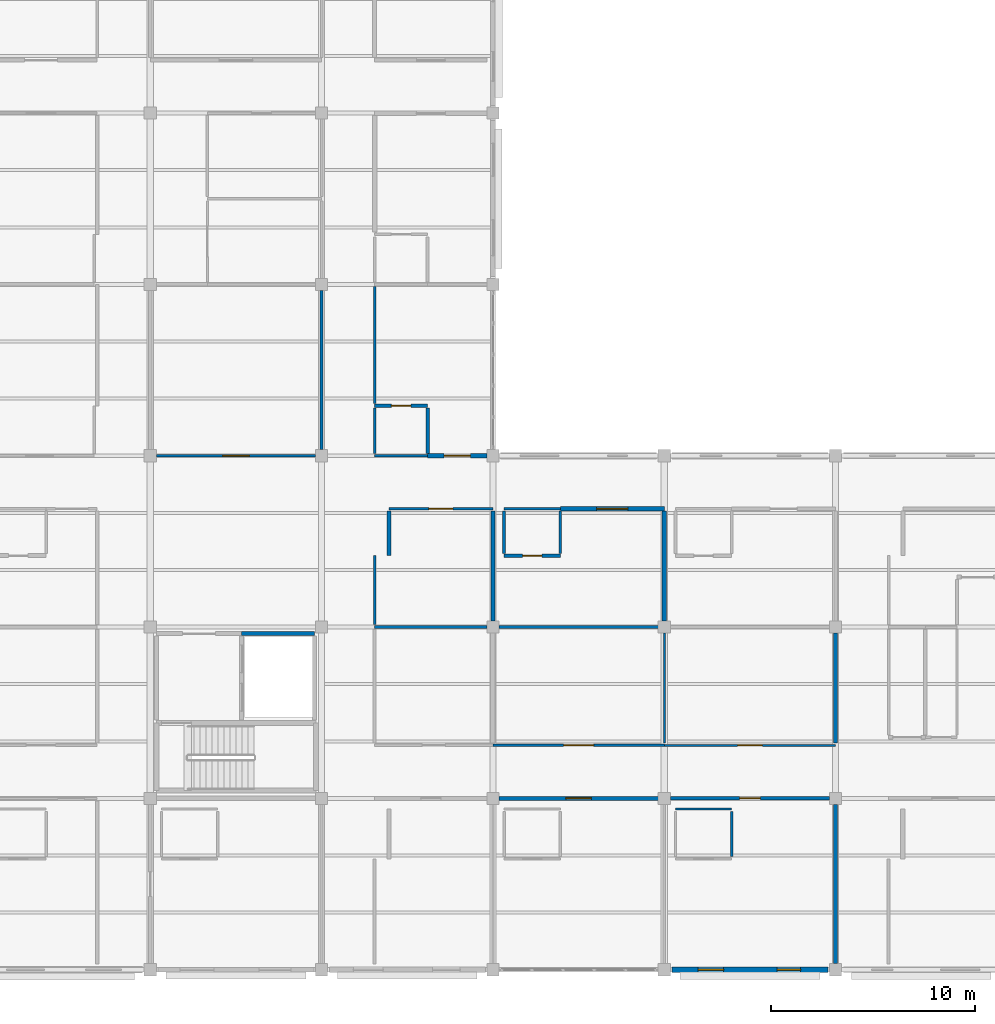
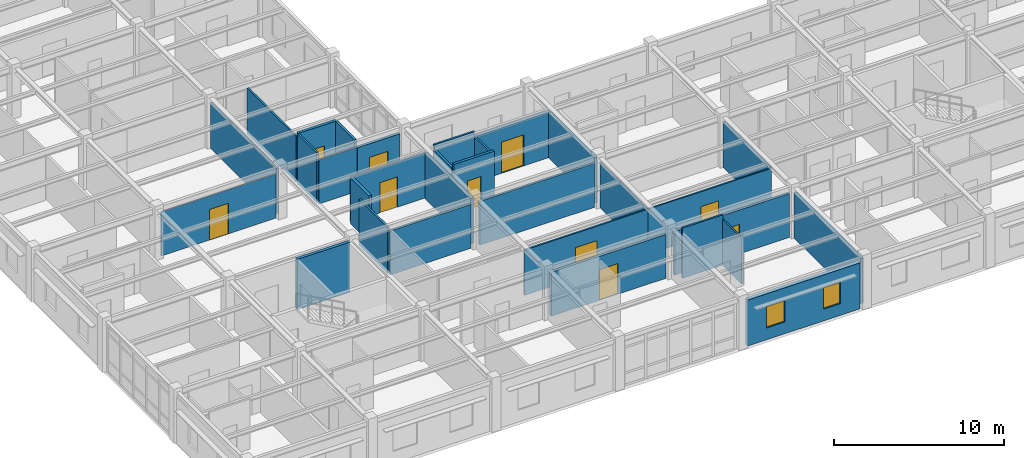
# One storey, part 52 of 86: 31 walls, 10 doors, 2 windows, 12 openings.
"""IFC4 building model written with IfcOpenShell, lengths in metres."""

from ifc_helpers import new_model, si_unit, direction, frame, frame_2d, origin, place, context, subcontext, project, spatial, rectangle, extrude, material, layer, layer_set, type_object, element, fill, save


model = new_model("IFC4")

# Units and contexts
model_context = context("Model", 3, precision=1e-05, world=origin(), true_north=direction((0.0, 1.0)))
body_context = subcontext(model_context, "Body", "Model", "MODEL_VIEW")
ifc_project = project(units=[si_unit("LENGTHUNIT", "METRE"), si_unit("AREAUNIT", "SQUARE_METRE"), si_unit("VOLUMEUNIT", "CUBIC_METRE"), si_unit("PLANEANGLEUNIT", "RADIAN"), si_unit("MASSUNIT", "GRAM", prefix="KILO")], contexts=[model_context])

# Site, building, storey
site_placement = place(None, origin())
site = spatial("IfcSite", under=ifc_project, at=site_placement, CompositionType="ELEMENT")
building_placement = place(site_placement, origin())
building = spatial("IfcBuilding", under=site, at=building_placement, Name="Bramfleet General Hospital", CompositionType="ELEMENT")
storey_placement = place(building_placement, frame((0.0, 0.0, 18.60009765625)))
storey = spatial("IfcBuildingStorey", under=building, at=storey_placement, Name="L04", CompositionType="ELEMENT", Elevation=18.60009765625)

# Wall, openings, windows
ifc_material_1 = material(Name="Precast concrete C40/50", Category="concrete")
ifc_layer_1 = layer(ifc_material_1, 0.264892578125, Name="WT-EW-07")
ifc_layer_set_1 = layer_set([ifc_layer_1], Name="Precast concrete C40/50")
wall_type_1 = type_object("IfcWallType", Name="WT-EW-07", PredefinedType="SOLIDWALL", material=ifc_layer_set_1)
wall_1_placement = place(storey_placement, frame((134.02490234375, 0.0, 0.0), z_axis=(0.0, 0.0, 1.0), x_axis=(-1.0, 0.0, 0.0)))
wall_1 = element("IfcWall", 1, at=wall_1_placement, inside=storey, type_object=wall_type_1, Name="L04 Exterior Wall 320", PredefinedType="SOLIDWALL", context=body_context, shape_type="SweptSolid", body=[
    extrude(rectangle(XDim=7.64990234375, YDim=0.264892578125, at=frame_2d((3.824951171875, 0.0))), origin(), (0.0, 0.0, 1.0), 3.309814453125),
])
opening_1_placement = place(wall_1_placement, frame((1.33740234375, 0.0, 0.85009765625)))
opening_1 = element("IfcOpeningElement", 2, at=opening_1_placement, cuts=wall_1, Name="Opening W-22", PredefinedType="OPENING", context=body_context, shape_type="SweptSolid", body=[
    extrude(rectangle(XDim=1.14990234375, YDim=1.5400390625, at=frame_2d((0.574951171875, 0.77001953125))), frame((0.0, 0.142333984375, 0.0), z_axis=(0.0, -1.0, 0.0), x_axis=(1.0, 0.0, 0.0)), (0.0, 0.0, 1.0), 0.284912109375),
])
opening_2_placement = place(wall_1_placement, frame((5.112548828125, 0.0, 0.85009765625)))
opening_2 = element("IfcOpeningElement", 3, at=opening_2_placement, cuts=wall_1, Name="Opening W-23", PredefinedType="OPENING", context=body_context, shape_type="SweptSolid", body=[
    extrude(rectangle(XDim=1.25, YDim=1.5400390625, at=frame_2d((0.625, 0.77001953125))), frame((0.0, 0.142333984375, 0.0), z_axis=(0.0, -1.0, 0.0), x_axis=(1.0, 0.0, 0.0)), (0.0, 0.0, 1.0), 0.284912109375),
])
ifc_material_2 = material(Name="Anodised aluminium and low-E triple glazing", Category="aluminium")
window_type_1 = type_object("IfcWindowType", Name="WIN-W-22", PartitioningType="SINGLE_PANEL", PredefinedType="WINDOW", material=ifc_material_2)
window_1_placement = place(opening_1_placement, origin())
window_1 = element("IfcWindow", 4, at=window_1_placement, inside=storey, type_object=window_type_1, Name="L04 Facade Window WIN-L04-320-1", OverallHeight=1.5400390625, OverallWidth=1.14990234375, PartitioningType="SINGLE_PANEL", PredefinedType="WINDOW", context=body_context, shape_type="SweptSolid", body=[
    extrude(rectangle(XDim=1.14990234375, YDim=1.5400390625, at=frame_2d((0.574951171875, 0.77001953125))), frame((0.0, 0.030029296875, 0.0), z_axis=(0.0, -1.0, 0.0), x_axis=(1.0, 0.0, 0.0)), (0.0, 0.0, 1.0), 0.06005859375),
])
fill(opening_1, window_1)
window_type_2 = type_object("IfcWindowType", Name="WIN-W-23", PartitioningType="SINGLE_PANEL", PredefinedType="WINDOW", material=ifc_material_2)
window_2_placement = place(opening_2_placement, origin())
window_2 = element("IfcWindow", 5, at=window_2_placement, inside=storey, type_object=window_type_2, Name="L04 Facade Window WIN-L04-320-2", OverallHeight=1.5400390625, OverallWidth=1.25, PartitioningType="SINGLE_PANEL", PredefinedType="WINDOW", context=body_context, shape_type="SweptSolid", body=[
    extrude(rectangle(XDim=1.25, YDim=1.5400390625, at=frame_2d((0.625, 0.77001953125))), frame((0.0, 0.030029296875, 0.0), z_axis=(0.0, -1.0, 0.0), x_axis=(1.0, 0.0, 0.0)), (0.0, 0.0, 1.0), 0.06005859375),
])
fill(opening_2, window_2)

# Wall, opening, door
ifc_material_3 = material(Name="Concrete C35/45", Category="concrete")
ifc_layer_2 = layer(ifc_material_3, 0.219970703125, Name="WT-IW-01")
ifc_layer_set_2 = layer_set([ifc_layer_2], Name="Concrete C35/45")
wall_type_2 = type_object("IfcWallType", Name="WT-IW-01", PredefinedType="PARTITIONING", material=ifc_layer_set_2)
wall_2_placement = place(storey_placement, frame((120.89990234375, 22.60009765625, 0.0), z_axis=(0.0, 0.0, 1.0), x_axis=(1.0, 0.0, 0.0)))
wall_2 = element("IfcWall", 6, at=wall_2_placement, inside=storey, type_object=wall_type_2, Name="L04 Interior Partition IW-L04-3121", PredefinedType="PARTITIONING", context=body_context, shape_type="SweptSolid", body=[
    extrude(rectangle(XDim=5.10009765625, YDim=0.219970703125, at=frame_2d((2.550048828125, 0.0))), origin(), (0.0, 0.0, 1.0), 3.260009765625),
])
opening_3_placement = place(wall_2_placement, frame((1.780029296875, 0.0, 0.0)))
opening_3 = element("IfcOpeningElement", 7, at=opening_3_placement, cuts=wall_2, Name="Opening D1297", PredefinedType="OPENING", context=body_context, shape_type="SweptSolid", body=[
    extrude(rectangle(XDim=1.5400390625, YDim=2.239990234375, at=frame_2d((0.77001953125, 1.1201171875))), frame((0.0, 0.119873046875, 0.0), z_axis=(0.0, -1.0, 0.0), x_axis=(1.0, 0.0, 0.0)), (0.0, 0.0, 1.0), 0.239990234375),
])
ifc_material_4 = material(Name="Stainless steel and acoustic timber leaf", Category="steel")
door_type_1 = type_object("IfcDoorType", Name="DR-D-17", OperationType="NOTDEFINED", PredefinedType="DOOR", material=ifc_material_4)
door_1_placement = place(opening_3_placement, origin())
door_1 = element("IfcDoor", 8, at=door_1_placement, inside=storey, type_object=door_type_1, Name="Surgical Inpatient Ward Bedroom L04-1402 Door D1297", OperationType="SINGLE_SWING_RIGHT", OverallHeight=2.239990234375, OverallWidth=1.5400390625, PredefinedType="DOOR", context=body_context, shape_type="SweptSolid", body=[
    extrude(rectangle(XDim=1.5400390625, YDim=2.239990234375, at=frame_2d((0.77001953125, 1.1201171875))), frame((0.0, 0.02490234375, 0.0), z_axis=(0.0, -1.0, 0.0), x_axis=(1.0, 0.0, 0.0)), (0.0, 0.0, 1.0), 0.050048828125),
])
fill(opening_3, door_1)

# Walls
wall_3_placement = place(storey_placement, frame((126.0, 17.094970703125, 0.0), z_axis=(0.0, 0.0, 1.0), x_axis=(0.0, 1.0, 0.0)))
element("IfcWall", 9, at=wall_3_placement, inside=storey, type_object=wall_type_2, Name="L04 Interior Partition IW-L04-3421", PredefinedType="PARTITIONING", context=body_context, shape_type="SweptSolid", body=[
    extrude(rectangle(XDim=5.39013671875, YDim=0.219970703125, at=frame_2d((2.695068359375, 0.0))), origin(), (0.0, 0.0, 1.0), 3.260009765625),
])
ifc_layer_3 = layer(ifc_material_3, 0.205078125, Name="WT-IW-02")
ifc_layer_set_3 = layer_set([ifc_layer_3], Name="Concrete C35/45")
wall_type_3 = type_object("IfcWallType", Name="WT-IW-02", PredefinedType="PARTITIONING", material=ifc_layer_set_3)
wall_4_placement = place(storey_placement, frame((105.280029296875, 16.47998046875, 0.0), z_axis=(0.0, 0.0, 1.0), x_axis=(1.0, 0.0, 0.0)))
element("IfcWall", 10, at=wall_4_placement, inside=storey, type_object=wall_type_3, Name="L04 C3 Lift Shaft North Wall", PredefinedType="PARTITIONING", context=body_context, shape_type="SweptSolid", body=[
    extrude(rectangle(XDim=3.570068359375, YDim=0.205078125, at=frame_2d((1.78515625, 0.0))), origin(), (0.0, 0.0, 1.0), 3.60986328125),
])

# Wall, opening, door
wall_5_placement = place(storey_placement, frame((114.39990234375, 25.199951171875, 0.0), z_axis=(0.0, 0.0, 1.0), x_axis=(1.0, 0.0, 0.0)))
wall_5 = element("IfcWall", 11, at=wall_5_placement, inside=storey, type_object=wall_type_3, Name="L04 Interior Partition IW-L04-3134", PredefinedType="PARTITIONING", context=body_context, shape_type="SweptSolid", body=[
    extrude(rectangle(XDim=2.905029296875, YDim=0.205078125, at=frame_2d((1.45263671875, 0.0))), origin(), (0.0, 0.0, 1.0), 3.159912109375),
])
opening_4_placement = place(wall_5_placement, frame((0.8125, 0.0, 0.0)))
opening_4 = element("IfcOpeningElement", 12, at=opening_4_placement, cuts=wall_5, Name="Opening D1277", PredefinedType="OPENING", context=body_context, shape_type="SweptSolid", body=[
    extrude(rectangle(XDim=1.280029296875, YDim=2.179931640625, at=frame_2d((0.64013671875, 1.08984375))), frame((0.0, 0.112548828125, 0.0), z_axis=(0.0, -1.0, 0.0), x_axis=(1.0, 0.0, 0.0)), (0.0, 0.0, 1.0), 0.22509765625),
])
door_type_2 = type_object("IfcDoorType", Name="DR-D-29", OperationType="NOTDEFINED", PredefinedType="DOOR", material=ifc_material_4)
door_2_placement = place(opening_4_placement, origin())
door_2 = element("IfcDoor", 13, at=door_2_placement, inside=storey, type_object=door_type_2, Name="Surgical Inpatient Ward Bedroom L04-1303 Door D1277", OperationType="SINGLE_SWING_RIGHT", OverallHeight=2.179931640625, OverallWidth=1.280029296875, PredefinedType="DOOR", context=body_context, shape_type="SweptSolid", body=[
    extrude(rectangle(XDim=1.280029296875, YDim=2.179931640625, at=frame_2d((0.64013671875, 1.08984375))), frame((0.0, 0.02490234375, 0.0), z_axis=(0.0, -1.0, 0.0), x_axis=(1.0, 0.0, 0.0)), (0.0, 0.0, 1.0), 0.050048828125),
])
fill(opening_4, door_2)

# Walls
wall_6_placement = place(storey_placement, frame((117.60009765625, 17.094970703125, 0.0), z_axis=(0.0, 0.0, 1.0), x_axis=(0.0, 1.0, 0.0)))
element("IfcWall", 14, at=wall_6_placement, inside=storey, type_object=wall_type_3, Name="L04 Interior Partition IW-L04-3410", PredefinedType="PARTITIONING", context=body_context, shape_type="SweptSolid", body=[
    extrude(rectangle(XDim=5.39013671875, YDim=0.205078125, at=frame_2d((2.695068359375, 0.0))), origin(), (0.0, 0.0, 1.0), 3.260009765625),
])
wall_7_placement = place(storey_placement, frame((134.39990234375, 0.294921875, 0.0), z_axis=(0.0, 0.0, 1.0), x_axis=(0.0, 1.0, 0.0)))
element("IfcWall", 15, at=wall_7_placement, inside=storey, type_object=wall_type_3, Name="L04 Interior Partition IW-L04-3434", PredefinedType="PARTITIONING", context=body_context, shape_type="SweptSolid", body=[
    extrude(rectangle(XDim=7.81005859375, YDim=0.205078125, at=frame_2d((3.905029296875, 0.0))), origin(), (0.0, 0.0, 1.0), 3.260009765625),
])

# Wall, opening, door
ifc_layer_4 = layer(ifc_material_3, 0.18994140625, Name="WT-IW-03")
ifc_layer_set_4 = layer_set([ifc_layer_4], Name="Concrete C35/45")
wall_type_4 = type_object("IfcWallType", Name="WT-IW-03", PredefinedType="PARTITIONING", material=ifc_layer_set_4)
wall_8_placement = place(storey_placement, frame((117.89501953125, 8.39990234375, 0.0), z_axis=(0.0, 0.0, 1.0), x_axis=(1.0, 0.0, 0.0)))
wall_8 = element("IfcWall", 16, at=wall_8_placement, inside=storey, type_object=wall_type_4, Name="L04 Interior Partition IW-L04-3087", PredefinedType="PARTITIONING", context=body_context, shape_type="SweptSolid", body=[
    extrude(rectangle(XDim=7.81005859375, YDim=0.18994140625, at=frame_2d((3.905029296875, 0.0))), origin(), (0.0, 0.0, 1.0), 3.159912109375),
])
opening_5_placement = place(wall_8_placement, frame((3.280029296875, 0.0, 0.0)))
opening_5 = element("IfcOpeningElement", 17, at=opening_5_placement, cuts=wall_8, Name="Opening D1294", PredefinedType="OPENING", context=body_context, shape_type="SweptSolid", body=[
    extrude(rectangle(XDim=1.25, YDim=2.199951171875, at=frame_2d((0.625, 1.10009765625))), frame((0.0, 0.10498046875, 0.0), z_axis=(0.0, -1.0, 0.0), x_axis=(1.0, 0.0, 0.0)), (0.0, 0.0, 1.0), 0.2099609375),
])
door_type_3 = type_object("IfcDoorType", Name="DR-D-14", OperationType="NOTDEFINED", PredefinedType="DOOR", material=ifc_material_4)
door_3_placement = place(opening_5_placement, origin())
door_3 = element("IfcDoor", 18, at=door_3_placement, inside=storey, type_object=door_type_3, Name="Surgical Inpatient Ward Bedroom L04-1400 Door D1294", OperationType="SINGLE_SWING_LEFT", OverallHeight=2.199951171875, OverallWidth=1.25, PredefinedType="DOOR", context=body_context, shape_type="SweptSolid", body=[
    extrude(rectangle(XDim=1.25, YDim=2.199951171875, at=frame_2d((0.625, 1.10009765625))), frame((0.0, 0.02490234375, 0.0), z_axis=(0.0, -1.0, 0.0), x_axis=(1.0, 0.0, 0.0)), (0.0, 0.0, 1.0), 0.050048828125),
])
fill(opening_5, door_3)

wall_9_placement = place(storey_placement, frame((111.800048828125, 27.64990234375, 0.0), z_axis=(0.0, 0.0, 1.0), x_axis=(1.0, 0.0, 0.0)))
wall_9 = element("IfcWall", 19, at=wall_9_placement, inside=storey, type_object=wall_type_4, Name="L04 Interior Partition IW-L04-3135", PredefinedType="PARTITIONING", context=body_context, shape_type="SweptSolid", body=[
    extrude(rectangle(XDim=2.599853515625, YDim=0.18994140625, at=frame_2d((1.2998046875, 0.0))), origin(), (0.0, 0.0, 1.0), 3.60986328125),
])
opening_6_placement = place(wall_9_placement, frame((0.824951171875, 0.0, 0.0)))
opening_6 = element("IfcOpeningElement", 20, at=opening_6_placement, cuts=wall_9, Name="Opening D1278", PredefinedType="OPENING", context=body_context, shape_type="SweptSolid", body=[
    extrude(rectangle(XDim=0.949951171875, YDim=2.10009765625, at=frame_2d((0.47509765625, 1.050048828125))), frame((0.0, 0.10498046875, 0.0), z_axis=(0.0, -1.0, 0.0), x_axis=(1.0, 0.0, 0.0)), (0.0, 0.0, 1.0), 0.2099609375),
])
door_type_4 = type_object("IfcDoorType", Name="DR-D-10", OperationType="NOTDEFINED", PredefinedType="DOOR", material=ifc_material_4)
door_4_placement = place(opening_6_placement, origin())
door_4 = element("IfcDoor", 21, at=door_4_placement, inside=storey, type_object=door_type_4, Name="En-Suite Bathroom L04-1303 Door D1278", OperationType="SINGLE_SWING_LEFT", OverallHeight=2.10009765625, OverallWidth=0.949951171875, PredefinedType="DOOR", context=body_context, shape_type="SweptSolid", body=[
    extrude(rectangle(XDim=0.949951171875, YDim=2.10009765625, at=frame_2d((0.47509765625, 1.050048828125))), frame((0.0, 0.02490234375, 0.0), z_axis=(0.0, -1.0, 0.0), x_axis=(1.0, 0.0, 0.0)), (0.0, 0.0, 1.0), 0.050048828125),
])
fill(opening_6, door_4)

# Walls
wall_10_placement = place(storey_placement, frame((112.5, 20.300048828125, 0.0), z_axis=(0.0, 0.0, 1.0), x_axis=(0.0, 1.0, 0.0)))
element("IfcWall", 22, at=wall_10_placement, inside=storey, type_object=wall_type_4, Name="L04 Interior Partition IW-L04-3399", PredefinedType="PARTITIONING", context=body_context, shape_type="SweptSolid", body=[
    extrude(rectangle(XDim=2.18505859375, YDim=0.18994140625, at=frame_2d((1.092529296875, 0.0))), origin(), (0.0, 0.0, 1.0), 3.309814453125),
])
wall_11_placement = place(storey_placement, frame((134.39990234375, 11.114990234375, 0.0), z_axis=(0.0, 0.0, 1.0), x_axis=(0.0, 1.0, 0.0)))
element("IfcWall", 23, at=wall_11_placement, inside=storey, type_object=wall_type_4, Name="L04 Interior Partition IW-L04-3435", PredefinedType="PARTITIONING", context=body_context, shape_type="SweptSolid", body=[
    extrude(rectangle(XDim=5.389892578125, YDim=0.18994140625, at=frame_2d((2.69482421875, 0.0))), origin(), (0.0, 0.0, 1.0), 3.260009765625),
])

# Wall, opening, door
ifc_layer_5 = layer(ifc_material_3, 0.179931640625, Name="WT-IW-04")
ifc_layer_set_5 = layer_set([ifc_layer_5], Name="Concrete C35/45")
wall_type_5 = type_object("IfcWallType", Name="WT-IW-04", PredefinedType="PARTITIONING", material=ifc_layer_set_5)
wall_12_placement = place(storey_placement, frame((126.294921875, 8.39990234375, 0.0), z_axis=(0.0, 0.0, 1.0), x_axis=(1.0, 0.0, 0.0)))
wall_12 = element("IfcWall", 24, at=wall_12_placement, inside=storey, type_object=wall_type_5, Name="L04 Interior Partition IW-L04-3088", PredefinedType="PARTITIONING", context=body_context, shape_type="SweptSolid", body=[
    extrude(rectangle(XDim=7.81005859375, YDim=0.179931640625, at=frame_2d((3.905029296875, 0.0))), origin(), (0.0, 0.0, 1.0), 3.159912109375),
])
opening_7_placement = place(wall_12_placement, frame((3.39501953125, 0.0, 0.0)))
opening_7 = element("IfcOpeningElement", 25, at=opening_7_placement, cuts=wall_12, Name="Opening D1301", PredefinedType="OPENING", context=body_context, shape_type="SweptSolid", body=[
    extrude(rectangle(XDim=1.02001953125, YDim=2.1201171875, at=frame_2d((0.510009765625, 1.06005859375))), frame((0.0, 0.099853515625, 0.0), z_axis=(0.0, -1.0, 0.0), x_axis=(1.0, 0.0, 0.0)), (0.0, 0.0, 1.0), 0.199951171875),
])
door_type_5 = type_object("IfcDoorType", Name="DR-D-21", OperationType="NOTDEFINED", PredefinedType="DOOR", material=ifc_material_4)
door_5_placement = place(opening_7_placement, origin())
door_5 = element("IfcDoor", 26, at=door_5_placement, inside=storey, type_object=door_type_5, Name="Surgical Inpatient Ward Bedroom L04-1500 Door D1301", OperationType="SINGLE_SWING_RIGHT", OverallHeight=2.1201171875, OverallWidth=1.02001953125, PredefinedType="DOOR", context=body_context, shape_type="SweptSolid", body=[
    extrude(rectangle(XDim=1.02001953125, YDim=2.1201171875, at=frame_2d((0.510009765625, 1.06005859375))), frame((0.0, 0.02490234375, 0.0), z_axis=(0.0, -1.0, 0.0), x_axis=(1.0, 0.0, 0.0)), (0.0, 0.0, 1.0), 0.050048828125),
])
fill(opening_7, door_5)

wall_13_placement = place(storey_placement, frame((118.14990234375, 20.300048828125, 0.0), z_axis=(0.0, 0.0, 1.0), x_axis=(1.0, 0.0, 0.0)))
wall_13 = element("IfcWall", 27, at=wall_13_placement, inside=storey, type_object=wall_type_5, Name="L04 Interior Partition IW-L04-3112", PredefinedType="PARTITIONING", context=body_context, shape_type="SweptSolid", body=[
    extrude(rectangle(XDim=2.75, YDim=0.179931640625, at=frame_2d((1.375, 0.0))), origin(), (0.0, 0.0, 1.0), 3.60986328125),
])
opening_8_placement = place(wall_13_placement, frame((0.89990234375, 0.0, 0.0)))
opening_8 = element("IfcOpeningElement", 28, at=opening_8_placement, cuts=wall_13, Name="Opening D1298", PredefinedType="OPENING", context=body_context, shape_type="SweptSolid", body=[
    extrude(rectangle(XDim=0.949951171875, YDim=2.10009765625, at=frame_2d((0.47509765625, 1.050048828125))), frame((0.0, 0.099853515625, 0.0), z_axis=(0.0, -1.0, 0.0), x_axis=(1.0, 0.0, 0.0)), (0.0, 0.0, 1.0), 0.199951171875),
])
door_6_placement = place(opening_8_placement, origin())
door_6 = element("IfcDoor", 29, at=door_6_placement, inside=storey, type_object=door_type_4, Name="En-Suite Bathroom L04-1402 Door D1298", OperationType="SINGLE_SWING_LEFT", OverallHeight=2.10009765625, OverallWidth=0.949951171875, PredefinedType="DOOR", context=body_context, shape_type="SweptSolid", body=[
    extrude(rectangle(XDim=0.949951171875, YDim=2.10009765625, at=frame_2d((0.47509765625, 1.050048828125))), frame((0.0, 0.02490234375, 0.0), z_axis=(0.0, -1.0, 0.0), x_axis=(1.0, 0.0, 0.0)), (0.0, 0.0, 1.0), 0.050048828125),
])
fill(opening_8, door_6)

# Walls
ifc_material_5 = material(Name="Gypsum plasterboard on acoustic steel studs", Category="steel")
ifc_layer_6 = layer(ifc_material_5, 0.159912109375, Name="WT-IW-06")
ifc_layer_set_6 = layer_set([ifc_layer_6], Name="Gypsum plasterboard on acoustic steel studs")
wall_type_6 = type_object("IfcWallType", Name="WT-IW-06", PredefinedType="PARTITIONING", material=ifc_layer_set_6)
wall_14_placement = place(storey_placement, frame((111.800048828125, 16.800048828125, 0.0), z_axis=(0.0, 0.0, 1.0), x_axis=(1.0, 0.0, 0.0)))
element("IfcWall", 30, at=wall_14_placement, inside=storey, type_object=wall_type_6, Name="L04 Interior Partition IW-L04-3102", PredefinedType="PARTITIONING", context=body_context, shape_type="SweptSolid", body=[
    extrude(rectangle(XDim=5.5048828125, YDim=0.159912109375, at=frame_2d((2.75244140625, 0.0))), origin(), (0.0, 0.0, 1.0), 3.159912109375),
])
wall_15_placement = place(storey_placement, frame((114.39990234375, 25.31494140625, 0.0), z_axis=(0.0, 0.0, 1.0), x_axis=(0.0, 1.0, 0.0)))
element("IfcWall", 31, at=wall_15_placement, inside=storey, type_object=wall_type_6, Name="L04 Interior Partition IW-L04-3402", PredefinedType="PARTITIONING", context=body_context, shape_type="SweptSolid", body=[
    extrude(rectangle(XDim=2.219970703125, YDim=0.159912109375, at=frame_2d((1.10986328125, 0.0))), origin(), (0.0, 0.0, 1.0), 3.60986328125),
])
ifc_layer_7 = layer(ifc_material_5, 0.14990234375, Name="WT-IW-07")
ifc_layer_set_7 = layer_set([ifc_layer_7], Name="Gypsum plasterboard on acoustic steel studs")
wall_type_7 = type_object("IfcWallType", Name="WT-IW-07", PredefinedType="PARTITIONING", material=ifc_layer_set_7)
wall_16_placement = place(storey_placement, frame((117.89501953125, 16.800048828125, 0.0), z_axis=(0.0, 0.0, 1.0), x_axis=(1.0, 0.0, 0.0)))
element("IfcWall", 32, at=wall_16_placement, inside=storey, type_object=wall_type_7, Name="L04 Interior Partition IW-L04-3103", PredefinedType="PARTITIONING", context=body_context, shape_type="SweptSolid", body=[
    extrude(rectangle(XDim=7.81005859375, YDim=0.14990234375, at=frame_2d((3.905029296875, 0.0))), origin(), (0.0, 0.0, 1.0), 3.159912109375),
])
ifc_layer_8 = layer(ifc_material_5, 0.139892578125, Name="WT-IW-08")
ifc_layer_set_8 = layer_set([ifc_layer_8], Name="Gypsum plasterboard on acoustic steel studs")
wall_type_8 = type_object("IfcWallType", Name="WT-IW-08", PredefinedType="PARTITIONING", material=ifc_layer_set_8)
wall_17_placement = place(storey_placement, frame((109.199951171875, 25.4951171875, 0.0), z_axis=(0.0, 0.0, 1.0), x_axis=(0.0, 1.0, 0.0)))
element("IfcWall", 33, at=wall_17_placement, inside=storey, type_object=wall_type_8, Name="L04 Interior Partition IW-L04-3368", PredefinedType="PARTITIONING", context=body_context, shape_type="SweptSolid", body=[
    extrude(rectangle(XDim=7.809814453125, YDim=0.139892578125, at=frame_2d((3.90478515625, 0.0))), origin(), (0.0, 0.0, 1.0), 3.260009765625),
])
wall_18_placement = place(storey_placement, frame((118.14990234375, 20.4150390625, 0.0), z_axis=(0.0, 0.0, 1.0), x_axis=(0.0, 1.0, 0.0)))
element("IfcWall", 34, at=wall_18_placement, inside=storey, type_object=wall_type_8, Name="L04 Interior Partition IW-L04-3416", PredefinedType="PARTITIONING", context=body_context, shape_type="SweptSolid", body=[
    extrude(rectangle(XDim=2.070068359375, YDim=0.139892578125, at=frame_2d((1.03515625, 0.0))), origin(), (0.0, 0.0, 1.0), 3.309814453125),
])
ifc_layer_9 = layer(ifc_material_5, 0.1298828125, Name="WT-IW-09")
ifc_layer_set_9 = layer_set([ifc_layer_9], Name="Gypsum plasterboard on acoustic steel studs")
wall_type_9 = type_object("IfcWallType", Name="WT-IW-09", PredefinedType="PARTITIONING", material=ifc_layer_set_9)
wall_19_placement = place(storey_placement, frame((111.800048828125, 16.9150390625, 0.0), z_axis=(0.0, 0.0, 1.0), x_axis=(0.0, 1.0, 0.0)))
element("IfcWall", 35, at=wall_19_placement, inside=storey, type_object=wall_type_9, Name="L04 Interior Partition IW-L04-3381", PredefinedType="PARTITIONING", context=body_context, shape_type="SweptSolid", body=[
    extrude(rectangle(XDim=3.385009765625, YDim=0.1298828125, at=frame_2d((1.6923828125, 0.0))), origin(), (0.0, 0.0, 1.0), 3.309814453125),
])
ifc_layer_10 = layer(ifc_material_5, 0.1201171875, Name="WT-IW-10")
ifc_layer_set_10 = layer_set([ifc_layer_10], Name="Gypsum plasterboard on acoustic steel studs")
wall_type_10 = type_object("IfcWallType", Name="WT-IW-10", PredefinedType="PARTITIONING", material=ifc_layer_set_10)
for number, where, z_axis, x_axis, name in (
    (36, (126.550048828125, 7.8798828125, 0.0), (0.0, 0.0, 1.0), (1.0, 0.0, 0.0), "L04 Interior Partition IW-L04-3080"),
    (37, (118.14990234375, 22.60009765625, 0.0), (0.0, 0.0, 1.0), (1.0, 0.0, 0.0), "L04 Interior Partition IW-L04-3120"),
):
    element("IfcWall", number, at=place(storey_placement, frame(where, z_axis=z_axis, x_axis=x_axis)), inside=storey, type_object=wall_type_10, Name=name, PredefinedType="PARTITIONING", context=body_context, shape_type="SweptSolid", body=[
        extrude(rectangle(XDim=2.75, YDim=0.1201171875, at=frame_2d((1.375, 0.0))), origin(), (0.0, 0.0, 1.0), 3.60986328125),
    ])
wall_20_placement = place(storey_placement, frame((111.800048828125, 25.199951171875, 0.0), z_axis=(0.0, 0.0, 1.0), x_axis=(1.0, 0.0, 0.0)))
element("IfcWall", 38, at=wall_20_placement, inside=storey, type_object=wall_type_10, Name="L04 Interior Partition IW-L04-3133", PredefinedType="PARTITIONING", context=body_context, shape_type="SweptSolid", body=[
    extrude(rectangle(XDim=2.599853515625, YDim=0.1201171875, at=frame_2d((1.2998046875, 0.0))), origin(), (0.0, 0.0, 1.0), 3.159912109375),
])
wall_21_placement = place(storey_placement, frame((111.800048828125, 25.31494140625, 0.0), z_axis=(0.0, 0.0, 1.0), x_axis=(0.0, 1.0, 0.0)))
element("IfcWall", 39, at=wall_21_placement, inside=storey, type_object=wall_type_10, Name="L04 Interior Partition IW-L04-3382", PredefinedType="PARTITIONING", context=body_context, shape_type="SweptSolid", body=[
    extrude(rectangle(XDim=2.219970703125, YDim=0.1201171875, at=frame_2d((1.10986328125, 0.0))), origin(), (0.0, 0.0, 1.0), 3.60986328125),
])
wall_22_placement = place(storey_placement, frame((120.89990234375, 20.4150390625, 0.0), z_axis=(0.0, 0.0, 1.0), x_axis=(0.0, 1.0, 0.0)))
element("IfcWall", 40, at=wall_22_placement, inside=storey, type_object=wall_type_10, Name="L04 Interior Partition IW-L04-3418", PredefinedType="PARTITIONING", context=body_context, shape_type="SweptSolid", body=[
    extrude(rectangle(XDim=2.070068359375, YDim=0.1201171875, at=frame_2d((1.03515625, 0.0))), origin(), (0.0, 0.0, 1.0), 3.309814453125),
])
wall_23_placement = place(storey_placement, frame((129.300048828125, 5.544921875, 0.0), z_axis=(0.0, 0.0, 1.0), x_axis=(0.0, 1.0, 0.0)))
element("IfcWall", 41, at=wall_23_placement, inside=storey, type_object=wall_type_10, Name="L04 Interior Partition IW-L04-3429", PredefinedType="PARTITIONING", context=body_context, shape_type="SweptSolid", body=[
    extrude(rectangle(XDim=2.219970703125, YDim=0.1201171875, at=frame_2d((1.10986328125, 0.0))), origin(), (0.0, 0.0, 1.0), 3.309814453125),
])

# Wall, opening, door
ifc_layer_11 = layer(ifc_material_5, 0.112060546875, Name="WT-IW-11")
ifc_layer_set_11 = layer_set([ifc_layer_11], Name="Gypsum plasterboard on acoustic steel studs")
wall_type_11 = type_object("IfcWallType", Name="WT-IW-11", PredefinedType="PARTITIONING", material=ifc_layer_set_11)
wall_24_placement = place(storey_placement, frame((117.60009765625, 11.0, 0.0), z_axis=(0.0, 0.0, 1.0), x_axis=(1.0, 0.0, 0.0)))
wall_24 = element("IfcWall", 42, at=wall_24_placement, inside=storey, type_object=wall_type_11, Name="L04 Interior Partition IW-L04-3095", PredefinedType="PARTITIONING", context=body_context, shape_type="SweptSolid", body=[
    extrude(rectangle(XDim=8.39990234375, YDim=0.112060546875, at=frame_2d((4.199951171875, 0.0))), origin(), (0.0, 0.0, 1.0), 3.260009765625),
])
opening_9_placement = place(wall_24_placement, frame((3.4599609375, 0.0, 0.0)))
opening_9 = element("IfcOpeningElement", 43, at=opening_9_placement, cuts=wall_24, Name="Opening D1296", PredefinedType="OPENING", context=body_context, shape_type="SweptSolid", body=[
    extrude(rectangle(XDim=1.47998046875, YDim=2.219970703125, at=frame_2d((0.739990234375, 1.10986328125))), frame((0.0, 0.06591796875, 0.0), z_axis=(0.0, -1.0, 0.0), x_axis=(1.0, 0.0, 0.0)), (0.0, 0.0, 1.0), 0.132080078125),
])
door_type_6 = type_object("IfcDoorType", Name="DR-D-16", OperationType="NOTDEFINED", PredefinedType="DOOR", material=ifc_material_4)
door_7_placement = place(opening_9_placement, origin())
door_7 = element("IfcDoor", 44, at=door_7_placement, inside=storey, type_object=door_type_6, Name="Ward Linen and Clean Utility L04-1401 Door D1296", OperationType="SINGLE_SWING_LEFT", OverallHeight=2.219970703125, OverallWidth=1.47998046875, PredefinedType="DOOR", context=body_context, shape_type="SweptSolid", body=[
    extrude(rectangle(XDim=1.47998046875, YDim=2.219970703125, at=frame_2d((0.739990234375, 1.10986328125))), frame((0.0, 0.02490234375, 0.0), z_axis=(0.0, -1.0, 0.0), x_axis=(1.0, 0.0, 0.0)), (0.0, 0.0, 1.0), 0.050048828125),
])
fill(opening_9, door_7)

wall_25_placement = place(storey_placement, frame((112.5, 22.60009765625, 0.0), z_axis=(0.0, 0.0, 1.0), x_axis=(1.0, 0.0, 0.0)))
wall_25 = element("IfcWall", 45, at=wall_25_placement, inside=storey, type_object=wall_type_11, Name="L04 Interior Partition IW-L04-3119", PredefinedType="PARTITIONING", context=body_context, shape_type="SweptSolid", body=[
    extrude(rectangle(XDim=5.10009765625, YDim=0.112060546875, at=frame_2d((2.550048828125, 0.0))), origin(), (0.0, 0.0, 1.0), 3.260009765625),
])
opening_10_placement = place(wall_25_placement, frame((1.9599609375, 0.0, 0.0)))
opening_10 = element("IfcOpeningElement", 46, at=opening_10_placement, cuts=wall_25, Name="Opening D1276", PredefinedType="OPENING", context=body_context, shape_type="SweptSolid", body=[
    extrude(rectangle(XDim=1.179931640625, YDim=2.179931640625, at=frame_2d((0.58984375, 1.08984375))), frame((0.0, 0.06591796875, 0.0), z_axis=(0.0, -1.0, 0.0), x_axis=(1.0, 0.0, 0.0)), (0.0, 0.0, 1.0), 0.132080078125),
])
door_type_7 = type_object("IfcDoorType", Name="DR-D-28", OperationType="NOTDEFINED", PredefinedType="DOOR", material=ifc_material_4)
door_8_placement = place(opening_10_placement, origin())
door_8 = element("IfcDoor", 47, at=door_8_placement, inside=storey, type_object=door_type_7, Name="Surgical Inpatient Ward Bedroom L04-1302 Door D1276", OperationType="SINGLE_SWING_LEFT", OverallHeight=2.179931640625, OverallWidth=1.179931640625, PredefinedType="DOOR", context=body_context, shape_type="SweptSolid", body=[
    extrude(rectangle(XDim=1.179931640625, YDim=2.179931640625, at=frame_2d((0.58984375, 1.08984375))), frame((0.0, 0.02490234375, 0.0), z_axis=(0.0, -1.0, 0.0), x_axis=(1.0, 0.0, 0.0)), (0.0, 0.0, 1.0), 0.050048828125),
])
fill(opening_10, door_8)

# Wall
wall_26_placement = place(storey_placement, frame((111.800048828125, 27.764892578125, 0.0), z_axis=(0.0, 0.0, 1.0), x_axis=(0.0, 1.0, 0.0)))
element("IfcWall", 48, at=wall_26_placement, inside=storey, type_object=wall_type_11, Name="L04 Interior Partition IW-L04-3383", PredefinedType="PARTITIONING", context=body_context, shape_type="SweptSolid", body=[
    extrude(rectangle(XDim=5.72021484375, YDim=0.112060546875, at=frame_2d((2.860107421875, 0.0))), origin(), (0.0, 0.0, 1.0), 3.309814453125),
])

# Wall, opening, door
ifc_layer_12 = layer(ifc_material_5, 0.10009765625, Name="WT-IW-12")
ifc_layer_set_12 = layer_set([ifc_layer_12], Name="Gypsum plasterboard on acoustic steel studs")
wall_type_12 = type_object("IfcWallType", Name="WT-IW-12", PredefinedType="PARTITIONING", material=ifc_layer_set_12)
wall_27_placement = place(storey_placement, frame((126.0, 11.0, 0.0), z_axis=(0.0, 0.0, 1.0), x_axis=(1.0, 0.0, 0.0)))
wall_27 = element("IfcWall", 49, at=wall_27_placement, inside=storey, type_object=wall_type_12, Name="L04 Interior Partition IW-L04-3096", PredefinedType="PARTITIONING", context=body_context, shape_type="SweptSolid", body=[
    extrude(rectangle(XDim=8.39990234375, YDim=0.10009765625, at=frame_2d((4.199951171875, 0.0))), origin(), (0.0, 0.0, 1.0), 3.260009765625),
])
opening_11_placement = place(wall_27_placement, frame((3.590087890625, 0.0, 0.0)))
opening_11 = element("IfcOpeningElement", 50, at=opening_11_placement, cuts=wall_27, Name="Opening D1303", PredefinedType="OPENING", context=body_context, shape_type="SweptSolid", body=[
    extrude(rectangle(XDim=1.219970703125, YDim=2.179931640625, at=frame_2d((0.60986328125, 1.08984375))), frame((0.0, 0.06005859375, 0.0), z_axis=(0.0, -1.0, 0.0), x_axis=(1.0, 0.0, 0.0)), (0.0, 0.0, 1.0), 0.1201171875),
])
door_type_8 = type_object("IfcDoorType", Name="DR-D-23", OperationType="NOTDEFINED", PredefinedType="DOOR", material=ifc_material_4)
door_9_placement = place(opening_11_placement, origin())
door_9 = element("IfcDoor", 51, at=door_9_placement, inside=storey, type_object=door_type_8, Name="Surgical Inpatient Ward Nurse Station L04-1501 Door D1303", OperationType="SINGLE_SWING_RIGHT", OverallHeight=2.179931640625, OverallWidth=1.219970703125, PredefinedType="DOOR", context=body_context, shape_type="SweptSolid", body=[
    extrude(rectangle(XDim=1.219970703125, YDim=2.179931640625, at=frame_2d((0.60986328125, 1.08984375))), frame((0.0, 0.02490234375, 0.0), z_axis=(0.0, -1.0, 0.0), x_axis=(1.0, 0.0, 0.0)), (0.0, 0.0, 1.0), 0.050048828125),
])
fill(opening_11, door_9)

wall_28_placement = place(storey_placement, frame((101.094970703125, 25.199951171875, 0.0), z_axis=(0.0, 0.0, 1.0), x_axis=(1.0, 0.0, 0.0)))
wall_28 = element("IfcWall", 52, at=wall_28_placement, inside=storey, type_object=wall_type_12, Name="L04 Interior Partition IW-L04-3132", PredefinedType="PARTITIONING", context=body_context, shape_type="SweptSolid", body=[
    extrude(rectangle(XDim=7.81005859375, YDim=0.10009765625, at=frame_2d((3.905029296875, 0.0))), origin(), (0.0, 0.0, 1.0), 3.159912109375),
])
opening_12_placement = place(wall_28_placement, frame((3.2548828125, 0.0, 0.0)))
opening_12 = element("IfcOpeningElement", 53, at=opening_12_placement, cuts=wall_28, Name="Opening D1263", PredefinedType="OPENING", context=body_context, shape_type="SweptSolid", body=[
    extrude(rectangle(XDim=1.300048828125, YDim=2.199951171875, at=frame_2d((0.64990234375, 1.10009765625))), frame((0.0, 0.06005859375, 0.0), z_axis=(0.0, -1.0, 0.0), x_axis=(1.0, 0.0, 0.0)), (0.0, 0.0, 1.0), 0.1201171875),
])
door_type_9 = type_object("IfcDoorType", Name="DR-D-15", OperationType="NOTDEFINED", PredefinedType="DOOR", material=ifc_material_4)
door_10_placement = place(opening_12_placement, origin())
door_10 = element("IfcDoor", 54, at=door_10_placement, inside=storey, type_object=door_type_9, Name="Surgical Inpatient Ward Nurse Station L04-1203 Door D1263", OperationType="SINGLE_SWING_RIGHT", OverallHeight=2.199951171875, OverallWidth=1.300048828125, PredefinedType="DOOR", context=body_context, shape_type="SweptSolid", body=[
    extrude(rectangle(XDim=1.300048828125, YDim=2.199951171875, at=frame_2d((0.64990234375, 1.10009765625))), frame((0.0, 0.02490234375, 0.0), z_axis=(0.0, -1.0, 0.0), x_axis=(1.0, 0.0, 0.0)), (0.0, 0.0, 1.0), 0.050048828125),
])
fill(opening_12, door_10)

# Wall
wall_29_placement = place(storey_placement, frame((126.0, 11.114990234375, 0.0), z_axis=(0.0, 0.0, 1.0), x_axis=(0.0, 1.0, 0.0)))
element("IfcWall", 55, at=wall_29_placement, inside=storey, type_object=wall_type_12, Name="L04 Interior Partition IW-L04-3420", PredefinedType="PARTITIONING", context=body_context, shape_type="SweptSolid", body=[
    extrude(rectangle(XDim=5.389892578125, YDim=0.10009765625, at=frame_2d((2.69482421875, 0.0))), origin(), (0.0, 0.0, 1.0), 3.260009765625),
])

save(model, "model.ifc")
